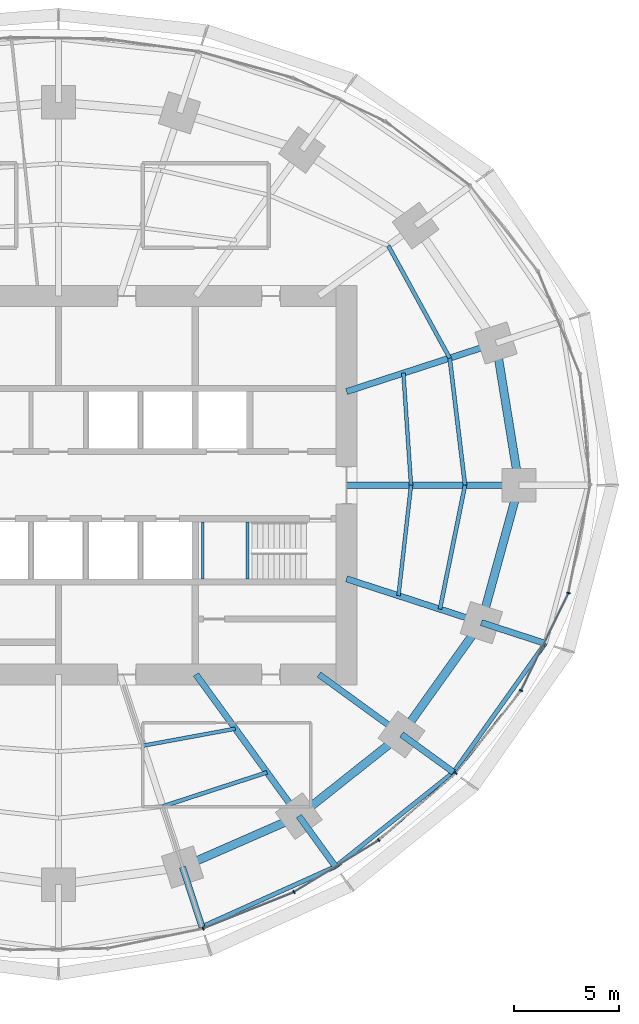
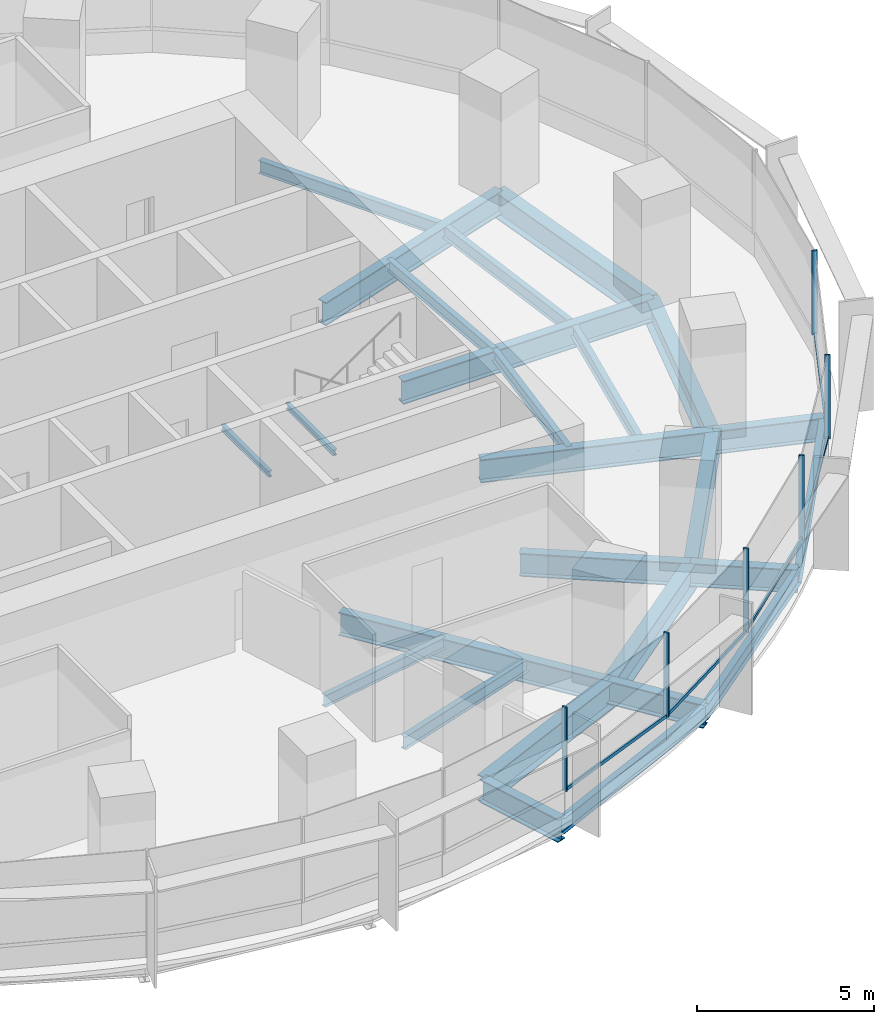
# One storey, part 5 of 14: 26 beams, 11 members, 2 elements without a shape of their own.
"""IFC4 building model written with IfcOpenShell, lengths in metres."""

from ifc_helpers import new_model, si_unit, direction, frame, origin, origin_2d, place, context, subcontext, project, spatial, rectangle, i_section, extrude, material, material_profile, profile_set, type_object, element, aggregate, save


model = new_model("IFC4")

# Units and contexts
model_context = context("Model", 3, precision=1e-05, world=origin(), true_north=direction((0.0, 1.0)))
body_context = subcontext(model_context, "Body", "Model", "MODEL_VIEW")
ifc_project = project(units=[si_unit("LENGTHUNIT", "METRE"), si_unit("AREAUNIT", "SQUARE_METRE"), si_unit("VOLUMEUNIT", "CUBIC_METRE"), si_unit("PLANEANGLEUNIT", "RADIAN"), si_unit("MASSUNIT", "GRAM", prefix="KILO")], contexts=[model_context])

# Site, building, storey
site_placement = place(None, origin())
site = spatial("IfcSite", under=ifc_project, at=site_placement, CompositionType="ELEMENT")
building_placement = place(site_placement, origin())
building = spatial("IfcBuilding", under=site, at=building_placement, Name="Marramba Exchange Tower", CompositionType="ELEMENT")
storey_placement = place(building_placement, frame((0.0, 0.0, 162.60009765625)))
storey = spatial("IfcBuildingStorey", under=building, at=storey_placement, Name="L39", CompositionType="ELEMENT", Elevation=162.60009765625)

# Beams
ifc_material_1 = material(Name="Steel AS/NZS 3679.2 grade 300", Category="steel")
ifc_material_profile_1 = material_profile(ifc_material_1, i_section(OverallWidth=0.300048828125, OverallDepth=0.800048828125, WebThickness=0.013916015625, FlangeThickness=0.031982421875, at=origin_2d()), Name="800WB192")
ifc_profile_set_1 = profile_set([ifc_material_profile_1], Name="Steel AS/NZS 3679.2 grade 300")
beam_type_1 = type_object("IfcBeamType", Name="Cantilever girder 800WB192", PredefinedType="BEAM", material=ifc_profile_set_1)
beam_1_placement = place(storey_placement, frame((5.899658203125, -18.156982421875, -0.56005859375), z_axis=(0.30903246226, -0.951051490336, 0.0), x_axis=(0.951051490336, 0.30903246226, 0.0)))
element("IfcBeam", 1, at=beam_1_placement, inside=storey, type_object=beam_type_1, Name="Cantilever girder L39 TC17", PredefinedType="BEAM", context=body_context, shape_type="SweptSolid", body=[
    extrude(i_section(OverallWidth=0.300048828125, OverallDepth=0.800048828125, WebThickness=0.013916015625, FlangeThickness=0.031982421875, at=origin_2d()), origin(), (0.0, 0.0, 1.0), 2.986328125),
])
beam_2_placement = place(storey_placement, frame((11.430419921875, -15.732666015625, -0.56005859375), z_axis=(0.587794986183, -0.8090099222, 0.0), x_axis=(0.8090099222, 0.587794986183, 0.0)))
element("IfcBeam", 2, at=beam_2_placement, inside=storey, type_object=beam_type_1, Name="Cantilever girder L39 TC18", PredefinedType="BEAM", context=body_context, shape_type="SweptSolid", body=[
    extrude(i_section(OverallWidth=0.300048828125, OverallDepth=0.800048828125, WebThickness=0.013916015625, FlangeThickness=0.031982421875, at=origin_2d()), origin(), (0.0, 0.0, 1.0), 2.9677734375),
])
beam_3_placement = place(storey_placement, frame((16.3154296875, -11.853759765625, -0.56005859375), z_axis=(0.809026231081, -0.587772538847, 0.0), x_axis=(0.587772538847, 0.809026231081, 0.0)))
element("IfcBeam", 3, at=beam_3_placement, inside=storey, type_object=beam_type_1, Name="Cantilever girder L39 TC19", PredefinedType="BEAM", context=body_context, shape_type="SweptSolid", body=[
    extrude(i_section(OverallWidth=0.300048828125, OverallDepth=0.800048828125, WebThickness=0.013916015625, FlangeThickness=0.031982421875, at=origin_2d()), origin(), (0.0, 0.0, 1.0), 3.055419921875),
])
beam_4_placement = place(storey_placement, frame((20.109375, -6.533935546875, -0.56005859375), z_axis=(0.951054839063, -0.309022156318, 0.0), x_axis=(0.309022156318, 0.951054839063, 0.0)))
element("IfcBeam", 4, at=beam_4_placement, inside=storey, type_object=beam_type_1, Name="Cantilever girder L39 TC20", PredefinedType="BEAM", context=body_context, shape_type="SweptSolid", body=[
    extrude(i_section(OverallWidth=0.300048828125, OverallDepth=0.800048828125, WebThickness=0.013916015625, FlangeThickness=0.031982421875, at=origin_2d()), origin(), (0.0, 0.0, 1.0), 3.19580078125),
])
ifc_material_2 = material(Name="Steel AS/NZS 3679.1 grade 300", Category="steel")
ifc_material_profile_2 = material_profile(ifc_material_2, i_section(OverallWidth=0.177978515625, OverallDepth=0.406005859375, WebThickness=0.0078125, FlangeThickness=0.0126953125, FilletRadius=0.011474609375, at=origin_2d()), Name="410UB59.7")
ifc_profile_set_2 = profile_set([ifc_material_profile_2], Name="Steel AS/NZS 3679.1 grade 300")
beam_type_2 = type_object("IfcBeamType", Name="Floor joist 410UB59.7", PredefinedType="JOIST", material=ifc_profile_set_2)
beam_5_placement = place(storey_placement, frame((16.7666015625, 0.0, -0.363037109375), z_axis=(-0.068096259546, 0.99767875563, 0.0), x_axis=(-0.99767875563, -0.068096259546, 0.0)))
element("IfcBeam", 5, at=beam_5_placement, inside=storey, type_object=beam_type_2, Name="Joist L39 bay 01 row 1", PredefinedType="JOIST", context=body_context, shape_type="SweptSolid", body=[
    extrude(i_section(OverallWidth=0.177978515625, OverallDepth=0.406005859375, WebThickness=0.0078125, FlangeThickness=0.0126953125, FilletRadius=0.011474609375, at=origin_2d()), origin(), (0.0, 0.0, 1.0), 5.342041015625),
])
beam_6_placement = place(storey_placement, frame((4.0244140625, -12.3857421875, -0.363037109375), z_axis=(0.983455754421, 0.181148500119, 0.0), x_axis=(-0.181148500119, 0.983455754421, 0.0)))
element("IfcBeam", 6, at=beam_6_placement, inside=storey, type_object=beam_type_2, Name="Joist L39 bay 17 row 1", PredefinedType="JOIST", context=body_context, shape_type="SweptSolid", body=[
    extrude(i_section(OverallWidth=0.177978515625, OverallDepth=0.406005859375, WebThickness=0.0078125, FlangeThickness=0.0126953125, FilletRadius=0.011474609375, at=origin_2d()), origin(), (0.0, 0.0, 1.0), 4.4609375),
])
beam_7_placement = place(storey_placement, frame((16.169677734375, -5.25390625, -0.363037109375), z_axis=(0.112888968594, 0.993607609054, 0.0), x_axis=(-0.993607609054, 0.112888968594, 0.0)))
element("IfcBeam", 7, at=beam_7_placement, inside=storey, type_object=beam_type_2, Name="Joist L39 bay 20 row 1", PredefinedType="JOIST", context=body_context, shape_type="SweptSolid", body=[
    extrude(i_section(OverallWidth=0.177978515625, OverallDepth=0.406005859375, WebThickness=0.0078125, FlangeThickness=0.0126953125, FilletRadius=0.011474609375, at=origin_2d()), origin(), (0.0, 0.0, 1.0), 5.28759765625),
])
ifc_material_profile_3 = material_profile(ifc_material_2, i_section(OverallWidth=0.18994140625, OverallDepth=0.4541015625, WebThickness=0.008544921875, FlangeThickness=0.0126953125, FilletRadius=0.011474609375, at=origin_2d()), Name="460UB67.1")
ifc_profile_set_3 = profile_set([ifc_material_profile_3], Name="Steel AS/NZS 3679.1 grade 300")
beam_type_3 = type_object("IfcBeamType", Name="Floor joist 460UB67.1", PredefinedType="JOIST", material=ifc_profile_set_3)
beam_8_placement = place(storey_placement, frame((19.333251953125, 0.0, -0.38720703125), z_axis=(-0.119523078538, 0.992831422597, 0.0), x_axis=(-0.992831422597, -0.119523078538, 0.0)))
element("IfcBeam", 8, at=beam_8_placement, inside=storey, type_object=beam_type_3, Name="Joist L39 bay 01 row 2", PredefinedType="JOIST", context=body_context, shape_type="SweptSolid", body=[
    extrude(i_section(OverallWidth=0.18994140625, OverallDepth=0.4541015625, WebThickness=0.008544921875, FlangeThickness=0.0126953125, FilletRadius=0.011474609375, at=origin_2d()), origin(), (0.0, 0.0, 1.0), 6.089111328125),
])
beam_9_placement = place(storey_placement, frame((18.60546875, 6.04541015625, -0.38720703125), z_axis=(-0.479584443791, 0.877495732909, 0.0), x_axis=(-0.877495732909, -0.479584443791, 0.0)))
element("IfcBeam", 9, at=beam_9_placement, inside=storey, type_object=beam_type_3, Name="Joist L39 bay 02 row 2", PredefinedType="JOIST", context=body_context, shape_type="SweptSolid", body=[
    extrude(i_section(OverallWidth=0.18994140625, OverallDepth=0.4541015625, WebThickness=0.008544921875, FlangeThickness=0.0126953125, FilletRadius=0.011474609375, at=origin_2d()), origin(), (0.0, 0.0, 1.0), 6.094970703125),
])
beam_10_placement = place(storey_placement, frame((4.9619140625, -15.271484375, -0.38720703125), z_axis=(0.950764024931, 0.309915744834, 0.0), x_axis=(-0.309915744834, 0.950764024931, 0.0)))
element("IfcBeam", 10, at=beam_10_placement, inside=storey, type_object=beam_type_3, Name="Joist L39 bay 17 row 2", PredefinedType="JOIST", context=body_context, shape_type="SweptSolid", body=[
    extrude(i_section(OverallWidth=0.18994140625, OverallDepth=0.4541015625, WebThickness=0.008544921875, FlangeThickness=0.0126953125, FilletRadius=0.011474609375, at=origin_2d()), origin(), (0.0, 0.0, 1.0), 5.2158203125),
])
beam_11_placement = place(storey_placement, frame((18.1396484375, -5.893798828125, -0.38720703125), z_axis=(0.198489047047, 0.980103105904, 0.0), x_axis=(-0.980103105904, 0.198489047047, 0.0)))
element("IfcBeam", 11, at=beam_11_placement, inside=storey, type_object=beam_type_3, Name="Joist L39 bay 20 row 2", PredefinedType="JOIST", context=body_context, shape_type="SweptSolid", body=[
    extrude(i_section(OverallWidth=0.18994140625, OverallDepth=0.4541015625, WebThickness=0.008544921875, FlangeThickness=0.0126953125, FilletRadius=0.011474609375, at=origin_2d()), origin(), (0.0, 0.0, 1.0), 6.013427734375),
])

# Curtain wall, member
ifc_material_3 = material(Name="Aluminium framing, bronze anodised", Category="aluminium")
curtain_wall_type = type_object("IfcCurtainWallType", Name="Office ribbon curtain wall", PredefinedType="USERDEFINED", material=ifc_material_3)
curtain_wall_1_placement = place(storey_placement, origin())
curtain_wall_1 = element("IfcCurtainWall", 12, at=curtain_wall_1_placement, inside=storey, type_object=curtain_wall_type, Name="Curtain wall CW4 L39 F21-F25", ObjectType="RIBBON CURTAIN WALL", PredefinedType="USERDEFINED")
ifc_material_4 = material(Name="Aluminium mullion, bronze anodised", Category="aluminium")
ifc_material_profile_4 = material_profile(ifc_material_4, rectangle(XDim=0.159912109375, YDim=0.06005859375, at=origin_2d()), Name="CW4 mullion 60x160")
ifc_profile_set_4 = profile_set([ifc_material_profile_4], Name="Aluminium mullion, bronze anodised")
member_type_1 = type_object("IfcMemberType", Name="Office ribbon curtain wall mullion", PredefinedType="MULLION", material=ifc_profile_set_4)
member_1_placement = place(storey_placement, frame((6.881103515625, -21.0810546875, 0.7998046875), z_axis=(0.0, 0.0, 1.0), x_axis=(-0.372209067082, 0.928148916059, 0.0)))
member_1 = element("IfcMember", 13, at=member_1_placement, type_object=member_type_1, Name="CW4 mullion 1", PredefinedType="MULLION", context=body_context, shape_type="SweptSolid", body=[
    extrude(rectangle(XDim=0.159912109375, YDim=0.06005859375, at=origin_2d()), origin(), (0.0, 0.0, 1.0), 2.900146484375),
])

# Curtain wall, members
curtain_wall_2_placement = place(storey_placement, origin())
curtain_wall_2 = element("IfcCurtainWall", 14, at=curtain_wall_2_placement, inside=storey, type_object=curtain_wall_type, Name="Curtain wall CW4 L39 F26-F30", ObjectType="RIBBON CURTAIN WALL", PredefinedType="USERDEFINED")
member_2_placement = place(storey_placement, frame((11.2021484375, -19.3427734375, 0.7998046875), z_axis=(0.0, 0.0, 1.0), x_axis=(-0.521732535664, 0.853109114492, 0.0)))
member_2 = element("IfcMember", 15, at=member_2_placement, type_object=member_type_1, Name="CW4 mullion 1", PredefinedType="MULLION", context=body_context, shape_type="SweptSolid", body=[
    extrude(rectangle(XDim=0.159912109375, YDim=0.06005859375, at=origin_2d()), origin(), (0.0, 0.0, 1.0), 2.900146484375),
])
member_3_placement = place(storey_placement, frame((15.232177734375, -16.872314453125, 0.7998046875), z_axis=(0.0, 0.0, 1.0), x_axis=(-0.656431647438, 0.754385506384, 0.0)))
member_3 = element("IfcMember", 16, at=member_3_placement, type_object=member_type_1, Name="CW4 mullion 1", PredefinedType="MULLION", context=body_context, shape_type="SweptSolid", body=[
    extrude(rectangle(XDim=0.159912109375, YDim=0.06005859375, at=origin_2d()), origin(), (0.0, 0.0, 1.0), 2.900146484375),
])
member_4_placement = place(storey_placement, frame((18.886962890625, -13.68505859375, 0.7998046875), z_axis=(0.0, 0.0, 1.0), x_axis=(-0.783170139469, 0.621807472329, 0.0)))
member_4 = element("IfcMember", 17, at=member_4_placement, type_object=member_type_1, Name="CW4 mullion 1", PredefinedType="MULLION", context=body_context, shape_type="SweptSolid", body=[
    extrude(rectangle(XDim=0.159912109375, YDim=0.06005859375, at=origin_2d()), origin(), (0.0, 0.0, 1.0), 2.900146484375),
])
member_5_placement = place(storey_placement, frame((21.994873046875, -9.760009765625, 0.7998046875), z_axis=(0.0, 0.0, 1.0), x_axis=(-0.89844486976, 0.439086342308, 0.0)))
member_5 = element("IfcMember", 18, at=member_5_placement, type_object=member_type_1, Name="CW4 mullion 1", PredefinedType="MULLION", context=body_context, shape_type="SweptSolid", body=[
    extrude(rectangle(XDim=0.159912109375, YDim=0.06005859375, at=origin_2d()), origin(), (0.0, 0.0, 1.0), 2.900146484375),
])
member_6_placement = place(storey_placement, frame((24.252197265625, -5.124267578125, 0.7998046875), z_axis=(0.0, 0.0, 1.0), x_axis=(-0.980393739376, 0.197048511267, 0.0)))
member_6 = element("IfcMember", 19, at=member_6_placement, type_object=member_type_1, Name="CW4 mullion 1", PredefinedType="MULLION", context=body_context, shape_type="SweptSolid", body=[
    extrude(rectangle(XDim=0.159912109375, YDim=0.06005859375, at=origin_2d()), origin(), (0.0, 0.0, 1.0), 2.900146484375),
])

# Member
ifc_material_5 = material(Name="Aluminium transom, bronze anodised", Category="aluminium")
ifc_material_profile_5 = material_profile(ifc_material_5, rectangle(XDim=0.06005859375, YDim=0.1201171875, at=origin_2d()), Name="CW4 transom 60x120")
ifc_profile_set_5 = profile_set([ifc_material_profile_5], Name="Aluminium transom, bronze anodised")
member_type_2 = type_object("IfcMemberType", Name="Office ribbon curtain wall transom", PredefinedType="USERDEFINED", material=ifc_profile_set_5)
member_7_placement = place(storey_placement, frame((6.908935546875, -21.06982421875, 0.829833984375), z_axis=(0.928146753748, 0.372214459026, 0.0), x_axis=(-0.372214459026, 0.928146753748, 0.0)))
member_7 = element("IfcMember", 20, at=member_7_placement, type_object=member_type_2, Name="CW4 sill transom", ObjectType="TRANSOM", PredefinedType="USERDEFINED", context=body_context, shape_type="SweptSolid", body=[
    extrude(rectangle(XDim=0.06005859375, YDim=0.1201171875, at=origin_2d()), origin(), (0.0, 0.0, 1.0), 4.597900390625),
])

aggregate(curtain_wall_1, [member_1, member_7])

member_8_placement = place(storey_placement, frame((11.227783203125, -19.3271484375, 0.829833984375), z_axis=(0.853124051379, 0.52170811088, 0.0), x_axis=(-0.52170811088, 0.853124051379, 0.0)))
member_8 = element("IfcMember", 21, at=member_8_placement, type_object=member_type_2, Name="CW4 sill transom", ObjectType="TRANSOM", PredefinedType="USERDEFINED", context=body_context, shape_type="SweptSolid", body=[
    extrude(rectangle(XDim=0.06005859375, YDim=0.1201171875, at=origin_2d()), origin(), (0.0, 0.0, 1.0), 4.66748046875),
])

member_9_placement = place(storey_placement, frame((15.2548828125, -16.8525390625, 0.829833984375), z_axis=(0.754392594189, 0.65642350189, 0.0), x_axis=(-0.65642350189, 0.754392594189, 0.0)))
member_9 = element("IfcMember", 22, at=member_9_placement, type_object=member_type_2, Name="CW4 sill transom", ObjectType="TRANSOM", PredefinedType="USERDEFINED", context=body_context, shape_type="SweptSolid", body=[
    extrude(rectangle(XDim=0.06005859375, YDim=0.1201171875, at=origin_2d()), origin(), (0.0, 0.0, 1.0), 4.78955078125),
])

member_10_placement = place(storey_placement, frame((18.905517578125, -13.66162109375, 0.829833984375), z_axis=(0.621777997945, 0.783193540111, 0.0), x_axis=(-0.783193540111, 0.621777997945, 0.0)))
member_10 = element("IfcMember", 23, at=member_10_placement, type_object=member_type_2, Name="CW4 sill transom", ObjectType="TRANSOM", PredefinedType="USERDEFINED", context=body_context, shape_type="SweptSolid", body=[
    extrude(rectangle(XDim=0.06005859375, YDim=0.1201171875, at=origin_2d()), origin(), (0.0, 0.0, 1.0), 4.947265625),
])

member_11_placement = place(storey_placement, frame((22.008056640625, -9.73291015625, 0.829833984375), z_axis=(0.439090714557, 0.898442732949, 0.0), x_axis=(-0.898442732949, 0.439090714557, 0.0)))
member_11 = element("IfcMember", 24, at=member_11_placement, type_object=member_type_2, Name="CW4 sill transom", ObjectType="TRANSOM", PredefinedType="USERDEFINED", context=body_context, shape_type="SweptSolid", body=[
    extrude(rectangle(XDim=0.06005859375, YDim=0.1201171875, at=origin_2d()), origin(), (0.0, 0.0, 1.0), 5.096923828125),
])

aggregate(curtain_wall_2, [member_2, member_8, member_3, member_9, member_4, member_10, member_5, member_11, member_6])

# Beams
ifc_material_profile_6 = material_profile(ifc_material_1, i_section(OverallWidth=0.300048828125, OverallDepth=0.800048828125, WebThickness=0.013916015625, FlangeThickness=0.031982421875, at=origin_2d()), Name="800WB192")
ifc_profile_set_6 = profile_set([ifc_material_profile_6], Name="Steel AS/NZS 3679.2 grade 300")
beam_type_4 = type_object("IfcBeamType", Name="Radial girder 800WB192", PredefinedType="BEAM", material=ifc_profile_set_6)
beam_12_placement = place(storey_placement, frame((13.699951171875, 0.0, -0.56005859375), z_axis=(1.0, 0.0, 0.0), x_axis=(0.0, 1.0, 0.0)))
element("IfcBeam", 25, at=beam_12_placement, inside=storey, type_object=beam_type_4, Name="Radial girder L39 TC01", PredefinedType="BEAM", context=body_context, shape_type="SweptSolid", body=[
    extrude(i_section(OverallWidth=0.300048828125, OverallDepth=0.800048828125, WebThickness=0.013916015625, FlangeThickness=0.031982421875, at=origin_2d()), origin(), (0.0, 0.0, 1.0), 8.199951171875),
])
beam_13_placement = place(storey_placement, frame((13.699951171875, 4.451416015625, -0.56005859375), z_axis=(0.951059990189, 0.309006302624, 0.0), x_axis=(-0.309006302624, 0.951059990189, 0.0)))
element("IfcBeam", 26, at=beam_13_placement, inside=storey, type_object=beam_type_4, Name="Radial girder L39 TC02", PredefinedType="BEAM", context=body_context, shape_type="SweptSolid", body=[
    extrude(i_section(OverallWidth=0.300048828125, OverallDepth=0.800048828125, WebThickness=0.013916015625, FlangeThickness=0.031982421875, at=origin_2d()), origin(), (0.0, 0.0, 1.0), 7.47412109375),
])
beam_14_placement = place(storey_placement, frame((6.538818359375, -9.0, -0.56005859375), z_axis=(0.587787877172, -0.809015087282, 0.0), x_axis=(0.809015087282, 0.587787877172, 0.0)))
element("IfcBeam", 27, at=beam_14_placement, inside=storey, type_object=beam_type_4, Name="Radial girder L39 TC18", PredefinedType="BEAM", context=body_context, shape_type="SweptSolid", body=[
    extrude(i_section(OverallWidth=0.300048828125, OverallDepth=0.800048828125, WebThickness=0.013916015625, FlangeThickness=0.031982421875, at=origin_2d()), origin(), (0.0, 0.0, 1.0), 8.322021484375),
])
beam_15_placement = place(storey_placement, frame((12.387451171875, -9.0, -0.56005859375), z_axis=(0.809025189606, -0.58777397236, 0.0), x_axis=(0.58777397236, 0.809025189606, 0.0)))
element("IfcBeam", 28, at=beam_15_placement, inside=storey, type_object=beam_type_4, Name="Radial girder L39 TC19", PredefinedType="BEAM", context=body_context, shape_type="SweptSolid", body=[
    extrude(i_section(OverallWidth=0.300048828125, OverallDepth=0.800048828125, WebThickness=0.013916015625, FlangeThickness=0.031982421875, at=origin_2d()), origin(), (0.0, 0.0, 1.0), 4.855224609375),
])
beam_16_placement = place(storey_placement, frame((13.699951171875, -4.451416015625, -0.56005859375), z_axis=(0.951057759669, -0.309013167637, 0.0), x_axis=(0.309013167637, 0.951057759669, 0.0)))
element("IfcBeam", 29, at=beam_16_placement, inside=storey, type_object=beam_type_4, Name="Radial girder L39 TC20", PredefinedType="BEAM", context=body_context, shape_type="SweptSolid", body=[
    extrude(i_section(OverallWidth=0.300048828125, OverallDepth=0.800048828125, WebThickness=0.013916015625, FlangeThickness=0.031982421875, at=origin_2d()), origin(), (0.0, 0.0, 1.0), 6.7392578125),
])
ifc_material_profile_7 = material_profile(ifc_material_1, i_section(OverallWidth=0.39990234375, OverallDepth=0.89990234375, WebThickness=0.01611328125, FlangeThickness=0.031982421875, at=origin_2d()), Name="900WB282")
ifc_profile_set_7 = profile_set([ifc_material_profile_7], Name="Steel AS/NZS 3679.2 grade 300")
beam_type_5 = type_object("IfcBeamType", Name="Ring beam 900WB282", PredefinedType="SPANDREL", material=ifc_profile_set_7)
beam_17_placement = place(storey_placement, frame((21.89990234375, 0.0, -0.610107421875), z_axis=(-0.159384865399, 0.987216523708, 0.0), x_axis=(-0.987216523708, -0.159384865399, 0.0)))
element("IfcBeam", 30, at=beam_17_placement, inside=storey, type_object=beam_type_5, Name="Ring beam L39 TC01-TC02", PredefinedType="SPANDREL", context=body_context, shape_type="SweptSolid", body=[
    extrude(i_section(OverallWidth=0.39990234375, OverallDepth=0.89990234375, WebThickness=0.01611328125, FlangeThickness=0.031982421875, at=origin_2d()), origin(), (0.0, 0.0, 1.0), 6.8486328125),
])
beam_18_placement = place(storey_placement, frame((5.899658203125, -18.156982421875, -0.610107421875), z_axis=(0.915876892158, 0.4014592363, 0.0), x_axis=(-0.4014592363, 0.915876892158, 0.0)))
element("IfcBeam", 31, at=beam_18_placement, inside=storey, type_object=beam_type_5, Name="Ring beam L39 TC17-TC18", PredefinedType="SPANDREL", context=body_context, shape_type="SweptSolid", body=[
    extrude(i_section(OverallWidth=0.39990234375, OverallDepth=0.89990234375, WebThickness=0.01611328125, FlangeThickness=0.031982421875, at=origin_2d()), origin(), (0.0, 0.0, 1.0), 6.038818359375),
])
beam_19_placement = place(storey_placement, frame((11.430419921875, -15.732666015625, -0.610107421875), z_axis=(0.783139438128, 0.621846138887, 0.0), x_axis=(-0.621846138887, 0.783139438128, 0.0)))
element("IfcBeam", 32, at=beam_19_placement, inside=storey, type_object=beam_type_5, Name="Ring beam L39 TC18-TC19", PredefinedType="SPANDREL", context=body_context, shape_type="SweptSolid", body=[
    extrude(i_section(OverallWidth=0.39990234375, OverallDepth=0.89990234375, WebThickness=0.01611328125, FlangeThickness=0.031982421875, at=origin_2d()), origin(), (0.0, 0.0, 1.0), 6.23779296875),
])
beam_20_placement = place(storey_placement, frame((16.3154296875, -11.853759765625, -0.610107421875), z_axis=(0.580637181111, 0.814162430914, 0.0), x_axis=(-0.814162430914, 0.580637181111, 0.0)))
element("IfcBeam", 33, at=beam_20_placement, inside=storey, type_object=beam_type_5, Name="Ring beam L39 TC19-TC20", PredefinedType="SPANDREL", context=body_context, shape_type="SweptSolid", body=[
    extrude(i_section(OverallWidth=0.39990234375, OverallDepth=0.89990234375, WebThickness=0.01611328125, FlangeThickness=0.031982421875, at=origin_2d()), origin(), (0.0, 0.0, 1.0), 6.5341796875),
])
beam_21_placement = place(storey_placement, frame((20.109375, -6.533935546875, -0.610107421875), z_axis=(0.264291166956, 0.964442937176, 0.0), x_axis=(-0.964442937176, 0.264291166956, 0.0)))
element("IfcBeam", 34, at=beam_21_placement, inside=storey, type_object=beam_type_5, Name="Ring beam L39 TC20-TC01", PredefinedType="SPANDREL", context=body_context, shape_type="SweptSolid", body=[
    extrude(i_section(OverallWidth=0.39990234375, OverallDepth=0.89990234375, WebThickness=0.01611328125, FlangeThickness=0.031982421875, at=origin_2d()), origin(), (0.0, 0.0, 1.0), 6.77490234375),
])
ifc_material_profile_8 = material_profile(ifc_material_2, i_section(OverallWidth=0.208984375, OverallDepth=0.528076171875, WebThickness=0.009521484375, FlangeThickness=0.01318359375, FilletRadius=0.013916015625, at=origin_2d()), Name="530UB82.0")
ifc_profile_set_8 = profile_set([ifc_material_profile_8], Name="Steel AS/NZS 3679.1 grade 300")
beam_type_6 = type_object("IfcBeamType", Name="Slab edge beam 530UB82.0", PredefinedType="SPANDREL", material=ifc_profile_set_8)
beam_22_placement = place(storey_placement, frame((6.822509765625, -20.9970703125, -0.424072265625), z_axis=(0.911653171624, 0.410960453898, 0.0), x_axis=(-0.410960453898, 0.911653171624, 0.0)))
element("IfcBeam", 35, at=beam_22_placement, inside=storey, type_object=beam_type_6, Name="Slab edge beam L39 TC17-TC18", PredefinedType="SPANDREL", context=body_context, shape_type="SweptSolid", body=[
    extrude(i_section(OverallWidth=0.208984375, OverallDepth=0.528076171875, WebThickness=0.009521484375, FlangeThickness=0.01318359375, FilletRadius=0.013916015625, at=origin_2d()), origin(), (0.0, 0.0, 1.0), 6.9677734375),
])
beam_23_placement = place(storey_placement, frame((13.1748046875, -18.133544921875, -0.424072265625), z_axis=(0.781286404457, 0.624172695822, 0.0), x_axis=(-0.624172695822, 0.781286404457, 0.0)))
element("IfcBeam", 36, at=beam_23_placement, inside=storey, type_object=beam_type_6, Name="Slab edge beam L39 TC18-TC19", PredefinedType="SPANDREL", context=body_context, shape_type="SweptSolid", body=[
    extrude(i_section(OverallWidth=0.208984375, OverallDepth=0.528076171875, WebThickness=0.009521484375, FlangeThickness=0.01318359375, FilletRadius=0.013916015625, at=origin_2d()), origin(), (0.0, 0.0, 1.0), 7.183837890625),
])
beam_24_placement = place(storey_placement, frame((18.787353515625, -13.649658203125, -0.424072265625), z_axis=(0.579834168245, 0.814734519543, 0.0), x_axis=(-0.814734519543, 0.579834168245, 0.0)))
element("IfcBeam", 37, at=beam_24_placement, inside=storey, type_object=beam_type_6, Name="Slab edge beam L39 TC19-TC20", PredefinedType="SPANDREL", context=body_context, shape_type="SweptSolid", body=[
    extrude(i_section(OverallWidth=0.208984375, OverallDepth=0.528076171875, WebThickness=0.009521484375, FlangeThickness=0.01318359375, FilletRadius=0.013916015625, at=origin_2d()), origin(), (0.0, 0.0, 1.0), 7.521728515625),
])
ifc_material_profile_9 = material_profile(ifc_material_2, i_section(OverallWidth=0.133056640625, OverallDepth=0.202880859375, WebThickness=0.005859375, FlangeThickness=0.0078125, FilletRadius=0.0087890625, at=origin_2d()), Name="200UB25.4")
ifc_profile_set_9 = profile_set([ifc_material_profile_9], Name="Steel AS/NZS 3679.1 grade 300")
beam_type_7 = type_object("IfcBeamType", Name="Stair landing beam 200UB25.4", PredefinedType="BEAM", material=ifc_profile_set_9)
for number, where, z_axis, x_axis, name in (
    (38, (6.866455078125, -4.449951171875, 1.6484375), (0.0, 1.0, 0.0), (-1.0, 0.0, 0.0), "Stair landing beam SLB1 ST2 L39 1"),
    (39, (8.9833984375, -4.449951171875, 1.6484375), (0.0, 1.0, 0.0), (-1.0, 0.0, 0.0), "Stair landing beam SLB1 ST2 L39 2"),
):
    element("IfcBeam", number, at=place(storey_placement, frame(where, z_axis=z_axis, x_axis=x_axis)), inside=storey, type_object=beam_type_7, Name=name, PredefinedType="BEAM", context=body_context, shape_type="SweptSolid", body=[
        extrude(i_section(OverallWidth=0.133056640625, OverallDepth=0.202880859375, WebThickness=0.005859375, FlangeThickness=0.0078125, FilletRadius=0.0087890625, at=origin_2d()), origin(), (0.0, 0.0, 1.0), 2.699951171875),
    ])

save(model, "model.ifc")
